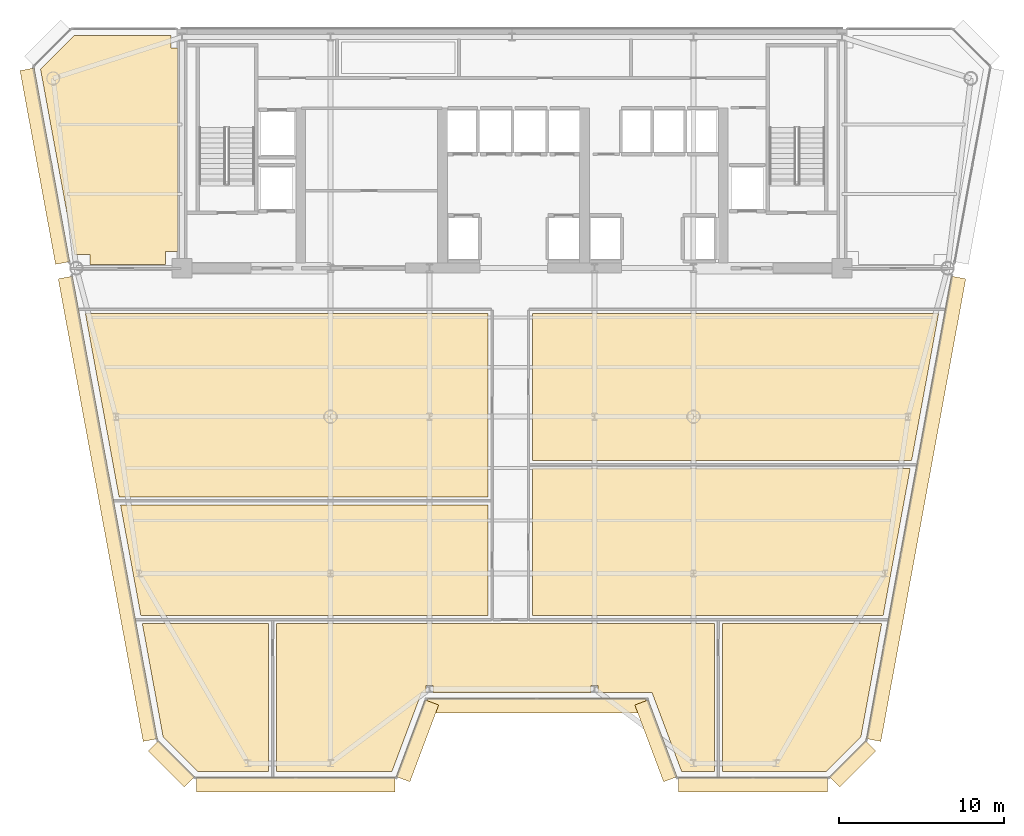
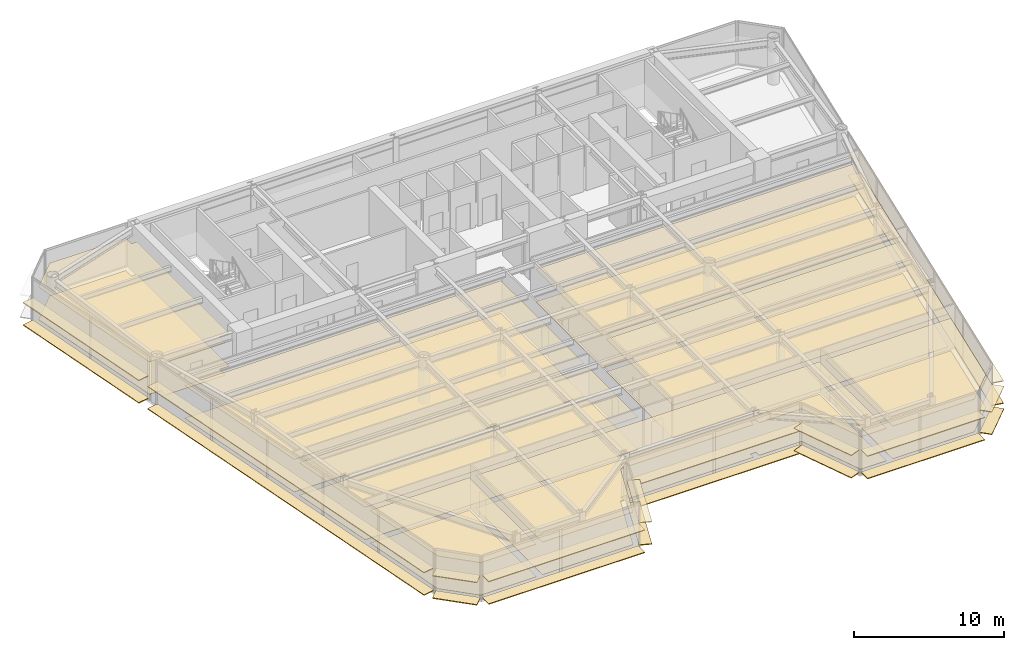
# One storey, part 13 of 16: 36 coverings.
"""IFC4 building model written with IfcOpenShell, lengths in metres."""

from ifc_helpers import new_model, si_unit, direction, frame, origin, origin_2d, place, context, subcontext, project, spatial, polyline, rectangle, outline, extrude, source, transform, mapped, material, layer, layer_set, type_object, element, save


model = new_model("IFC4")

# Units and contexts
model_context = context("Model", 3, precision=1e-05, world=origin(), true_north=direction((0.0, 1.0)))
body_context = subcontext(model_context, "Body", "Model", "MODEL_VIEW")
ifc_project = project(units=[si_unit("LENGTHUNIT", "METRE"), si_unit("AREAUNIT", "SQUARE_METRE"), si_unit("VOLUMEUNIT", "CUBIC_METRE"), si_unit("PLANEANGLEUNIT", "RADIAN"), si_unit("MASSUNIT", "GRAM", prefix="KILO")], contexts=[model_context])

# Site, building, storey
site_placement = place(None, origin())
site = spatial("IfcSite", under=ifc_project, at=site_placement, CompositionType="ELEMENT")
building_placement = place(site_placement, origin())
building = spatial("IfcBuilding", under=site, at=building_placement, Name="Vaeldorn Concourse Tower", CompositionType="ELEMENT")
storey_placement = place(building_placement, frame((0.0, 0.0, 191.800048828125)))
storey = spatial("IfcBuildingStorey", under=building, at=storey_placement, Name="L49", CompositionType="ELEMENT", Elevation=191.800048828125)

# Coverings
ifc_material_1 = material(Name="Acoustic Mineral Fibre Board", Category="gypsum")
ifc_layer_1 = layer(ifc_material_1, 0.0400390625)
ifc_layer_set_1 = layer_set([ifc_layer_1], Name="Acoustic Mineral Fibre Board")
covering_type_1 = type_object("IfcCoveringType", Name="COV-CEIL-ACOUSTIC", PredefinedType="CEILING", material=ifc_layer_set_1)
covering_1_placement = place(storey_placement, frame((0.0, 0.0, 2.64990234375)))
element("IfcCovering", 1, at=covering_1_placement, inside=storey, type_object=covering_type_1, Name="Suspended Acoustic Ceiling L49-3", PredefinedType="CEILING", context=body_context, shape_type="SweptSolid", body=[
    extrude(outline(polyline([(7.4658203125, 50.60009765625), (13.340087890625, 50.60009765625), (13.340087890625, 49.840087890625), (13.760009765625, 49.840087890625), (13.760009765625, 37.5), (13.0, 37.5), (13.0, 36.719970703125), (8.419921875, 36.719970703125), (8.419921875, 37.320068359375), (7.49609375, 37.320068359375), (5.431396484375, 48.565673828125), (7.4658203125, 50.60009765625)])), origin(), (0.0, 0.0, 1.0), 0.0400390625),
])
covering_2_placement = place(storey_placement, frame((0.0, 0.0, 2.64990234375)))
element("IfcCovering", 2, at=covering_2_placement, inside=storey, type_object=covering_type_1, Name="Suspended Acoustic Ceiling L49-5", PredefinedType="CEILING", context=body_context, shape_type="SweptSolid", body=[
    extrude(outline(polyline([(19.260009765625, 14.9599609375), (19.260009765625, 6.0), (14.956787109375, 6.0), (12.86181640625, 8.0947265625), (11.6015625, 14.9599609375), (19.260009765625, 14.9599609375)])), origin(), (0.0, 0.0, 1.0), 0.0400390625),
])
covering_3_placement = place(storey_placement, frame((0.0, 0.0, 2.64990234375)))
element("IfcCovering", 3, at=covering_3_placement, inside=storey, type_object=covering_type_1, Name="Suspended Acoustic Ceiling L49-6", PredefinedType="CEILING", context=body_context, shape_type="SweptSolid", body=[
    extrude(outline(polyline([(26.722900390625, 6.0), (19.739990234375, 6.0), (19.739990234375, 14.9599609375), (46.260009765625, 14.9599609375), (46.260009765625, 6.0), (44.277099609375, 6.0), (42.477294921875, 10.800048828125), (39.2060546875, 10.800048828125), (39.2060546875, 11.217529296875), (38.7939453125, 11.217529296875), (38.7939453125, 10.800048828125), (29.2060546875, 10.800048828125), (29.2060546875, 11.217529296875), (28.7939453125, 11.217529296875), (28.7939453125, 10.800048828125), (28.522705078125, 10.800048828125), (26.722900390625, 6.0)])), origin(), (0.0, 0.0, 1.0), 0.0400390625),
])
covering_4_placement = place(storey_placement, frame((0.0, 0.0, 2.64990234375)))
element("IfcCovering", 4, at=covering_4_placement, inside=storey, type_object=covering_type_1, Name="Suspended Acoustic Ceiling L49-7", PredefinedType="CEILING", context=body_context, shape_type="SweptSolid", body=[
    extrude(outline(polyline([(53.043212890625, 6.0), (46.739990234375, 6.0), (46.739990234375, 14.9599609375), (56.3984375, 14.9599609375), (55.13818359375, 8.0947265625), (53.043212890625, 6.0)])), origin(), (0.0, 0.0, 1.0), 0.0400390625),
])
covering_5_placement = place(storey_placement, frame((0.0, 0.0, 2.64990234375)))
element("IfcCovering", 5, at=covering_5_placement, inside=storey, type_object=covering_type_1, Name="Suspended Acoustic Ceiling L49-8", PredefinedType="CEILING", context=body_context, shape_type="SweptSolid", body=[
    extrude(outline(polyline([(32.56005859375, 22.159912109375), (32.56005859375, 15.43994140625), (11.51318359375, 15.43994140625), (11.23193359375, 16.971923828125), (11.16455078125, 17.340087890625), (11.16455078125, 17.340087890625), (10.279541015625, 22.159912109375), (32.56005859375, 22.159912109375)])), origin(), (0.0, 0.0, 1.0), 0.0400390625),
])
covering_6_placement = place(storey_placement, frame((0.0, 0.0, 2.64990234375)))
element("IfcCovering", 6, at=covering_6_placement, inside=storey, type_object=covering_type_1, Name="Suspended Acoustic Ceiling L49-9", PredefinedType="CEILING", context=body_context, shape_type="SweptSolid", body=[
    extrude(outline(polyline([(32.56005859375, 33.760009765625), (32.56005859375, 22.639892578125), (10.19140625, 22.639892578125), (8.14990234375, 33.760009765625), (32.56005859375, 33.760009765625)])), origin(), (0.0, 0.0, 1.0), 0.0400390625),
])
covering_7_placement = place(storey_placement, frame((0.0, 0.0, 2.64990234375)))
element("IfcCovering", 7, at=covering_7_placement, inside=storey, type_object=covering_type_1, Name="Suspended Acoustic Ceiling L49-10", PredefinedType="CEILING", context=body_context, shape_type="SweptSolid", body=[
    extrude(outline(polyline([(35.239990234375, 15.43994140625), (35.239990234375, 24.360107421875), (58.12451171875, 24.360107421875), (57.015380859375, 18.31982421875), (56.68017578125, 16.493408203125), (56.48681640625, 15.43994140625), (35.239990234375, 15.43994140625)])), origin(), (0.0, 0.0, 1.0), 0.0400390625),
])
covering_8_placement = place(storey_placement, frame((0.0, 0.0, 2.64990234375)))
element("IfcCovering", 8, at=covering_8_placement, inside=storey, type_object=covering_type_1, Name="Suspended Acoustic Ceiling L49-11", PredefinedType="CEILING", context=body_context, shape_type="SweptSolid", body=[
    extrude(outline(polyline([(35.239990234375, 24.840087890625), (35.239990234375, 33.760009765625), (59.85009765625, 33.760009765625), (58.21240234375, 24.840087890625), (35.239990234375, 24.840087890625)])), origin(), (0.0, 0.0, 1.0), 0.0400390625),
])
ifc_material_2 = material(Name="Honed Limestone Terrazzo Flooring", Category="masonry")
ifc_layer_2 = layer(ifc_material_2, 0.0400390625)
ifc_layer_set_2 = layer_set([ifc_layer_2], Name="Honed Limestone Terrazzo Flooring")
covering_type_2 = type_object("IfcCoveringType", Name="COV-FLOOR-STONE", PredefinedType="FLOORING", material=ifc_layer_set_2)
covering_9_placement = place(storey_placement, origin())
element("IfcCovering", 9, at=covering_9_placement, inside=storey, type_object=covering_type_2, Name="Floor Finish Covering L49-3", PredefinedType="FLOORING", context=body_context, shape_type="SweptSolid", body=[
    extrude(outline(polyline([(7.4658203125, 50.60009765625), (13.340087890625, 50.60009765625), (13.340087890625, 49.840087890625), (13.760009765625, 49.840087890625), (13.760009765625, 37.5), (13.0, 37.5), (13.0, 36.719970703125), (8.419921875, 36.719970703125), (8.419921875, 37.320068359375), (7.49609375, 37.320068359375), (5.431396484375, 48.565673828125), (7.4658203125, 50.60009765625)])), origin(), (0.0, 0.0, 1.0), 0.030029296875),
])
covering_10_placement = place(storey_placement, origin())
element("IfcCovering", 10, at=covering_10_placement, inside=storey, type_object=covering_type_2, Name="Floor Finish Covering L49-5", PredefinedType="FLOORING", context=body_context, shape_type="SweptSolid", body=[
    extrude(outline(polyline([(19.260009765625, 14.9599609375), (19.260009765625, 6.0), (14.956787109375, 6.0), (12.86181640625, 8.0947265625), (11.6015625, 14.9599609375), (19.260009765625, 14.9599609375)])), origin(), (0.0, 0.0, 1.0), 0.030029296875),
])
covering_11_placement = place(storey_placement, origin())
element("IfcCovering", 11, at=covering_11_placement, inside=storey, type_object=covering_type_2, Name="Floor Finish Covering L49-6", PredefinedType="FLOORING", context=body_context, shape_type="SweptSolid", body=[
    extrude(outline(polyline([(26.722900390625, 6.0), (19.739990234375, 6.0), (19.739990234375, 14.9599609375), (46.260009765625, 14.9599609375), (46.260009765625, 6.0), (44.277099609375, 6.0), (42.477294921875, 10.800048828125), (39.2060546875, 10.800048828125), (39.2060546875, 11.217529296875), (38.7939453125, 11.217529296875), (38.7939453125, 10.800048828125), (29.2060546875, 10.800048828125), (29.2060546875, 11.217529296875), (28.7939453125, 11.217529296875), (28.7939453125, 10.800048828125), (28.522705078125, 10.800048828125), (26.722900390625, 6.0)])), origin(), (0.0, 0.0, 1.0), 0.030029296875),
])
covering_12_placement = place(storey_placement, origin())
element("IfcCovering", 12, at=covering_12_placement, inside=storey, type_object=covering_type_2, Name="Floor Finish Covering L49-7", PredefinedType="FLOORING", context=body_context, shape_type="SweptSolid", body=[
    extrude(outline(polyline([(53.043212890625, 6.0), (46.739990234375, 6.0), (46.739990234375, 14.9599609375), (56.3984375, 14.9599609375), (55.13818359375, 8.0947265625), (53.043212890625, 6.0)])), origin(), (0.0, 0.0, 1.0), 0.030029296875),
])
covering_13_placement = place(storey_placement, origin())
element("IfcCovering", 13, at=covering_13_placement, inside=storey, type_object=covering_type_2, Name="Floor Finish Covering L49-8", PredefinedType="FLOORING", context=body_context, shape_type="SweptSolid", body=[
    extrude(outline(polyline([(32.56005859375, 22.159912109375), (32.56005859375, 15.43994140625), (11.51318359375, 15.43994140625), (11.23193359375, 16.971923828125), (11.16455078125, 17.340087890625), (11.16455078125, 17.340087890625), (10.279541015625, 22.159912109375), (32.56005859375, 22.159912109375)])), origin(), (0.0, 0.0, 1.0), 0.030029296875),
])
covering_14_placement = place(storey_placement, origin())
element("IfcCovering", 14, at=covering_14_placement, inside=storey, type_object=covering_type_2, Name="Floor Finish Covering L49-9", PredefinedType="FLOORING", context=body_context, shape_type="SweptSolid", body=[
    extrude(outline(polyline([(32.56005859375, 33.760009765625), (32.56005859375, 22.639892578125), (10.19140625, 22.639892578125), (8.14990234375, 33.760009765625), (32.56005859375, 33.760009765625)])), origin(), (0.0, 0.0, 1.0), 0.030029296875),
])
covering_15_placement = place(storey_placement, origin())
element("IfcCovering", 15, at=covering_15_placement, inside=storey, type_object=covering_type_2, Name="Floor Finish Covering L49-10", PredefinedType="FLOORING", context=body_context, shape_type="SweptSolid", body=[
    extrude(outline(polyline([(35.239990234375, 15.43994140625), (35.239990234375, 24.360107421875), (58.12451171875, 24.360107421875), (57.015380859375, 18.31982421875), (56.68017578125, 16.493408203125), (56.48681640625, 15.43994140625), (35.239990234375, 15.43994140625)])), origin(), (0.0, 0.0, 1.0), 0.030029296875),
])
covering_16_placement = place(storey_placement, origin())
element("IfcCovering", 16, at=covering_16_placement, inside=storey, type_object=covering_type_2, Name="Floor Finish Covering L49-11", PredefinedType="FLOORING", context=body_context, shape_type="SweptSolid", body=[
    extrude(outline(polyline([(35.239990234375, 24.840087890625), (35.239990234375, 33.760009765625), (59.85009765625, 33.760009765625), (58.21240234375, 24.840087890625), (35.239990234375, 24.840087890625)])), origin(), (0.0, 0.0, 1.0), 0.030029296875),
])
ifc_material_3 = material(Name="Anodised Bronze Aluminium", Category="aluminium")
ifc_layer_3 = layer(ifc_material_3, 0.06494140625)
ifc_layer_set_3 = layer_set([ifc_layer_3], Name="Anodised Bronze Aluminium")
covering_type_3 = type_object("IfcCoveringType", Name="SD-BRONZE-SUNSHADE", PredefinedType="USERDEFINED", material=ifc_layer_set_3)
shared_shape_1 = source(origin(), body_context, "Body", "SweptSolid", [
    extrude(rectangle(XDim=4.96630859375, YDim=0.8798828125, at=origin_2d()), origin(), (0.0, 0.0, 1.0), 0.06494140625),
])
for number, where, z_axis, x_axis, name in (
    (17, (28.2744140625, 7.859619140625, 0.04736328125), (0.0, 0.0, 1.0), (0.351122702609, 0.936329454686, 0.0), "Horizontal Bronze Sunshade L49-E02.1.1"),
    (18, (28.2744140625, 7.859619140625, 1.867431640625), (0.0, 0.0, 1.0), (0.351122702609, 0.936329454686, 0.0), "Horizontal Bronze Sunshade L49-E02.1.2"),
    (19, (42.7255859375, 7.859619140625, 0.04736328125), (0.0, 0.0, 1.0), (0.351122702609, -0.936329454686, 0.0), "Horizontal Bronze Sunshade L49-E04.1.1"),
    (20, (42.7255859375, 7.859619140625, 1.867431640625), (0.0, 0.0, 1.0), (0.351122702609, -0.936329454686, 0.0), "Horizontal Bronze Sunshade L49-E04.1.2"),
):
    element("IfcCovering", number, at=place(storey_placement, frame(where, z_axis=z_axis, x_axis=x_axis)), inside=storey, type_object=covering_type_3, Name=name, ObjectType="SUNSHADE", PredefinedType="USERDEFINED", context=body_context, shape_type="MappedRepresentation", body=[
        mapped(shared_shape_1, transform((0.0, 0.0, 0.0), scale=1.0)),
    ])
shared_shape_2 = source(origin(), body_context, "Body", "SweptSolid", [
    extrude(rectangle(XDim=13.239990234375, YDim=0.8798828125, at=origin_2d()), origin(), (0.0, 0.0, 1.0), 0.06494140625),
])
for number, where, z_axis, x_axis, name in (
    (21, (35.5, 10.0, 0.04736328125), (0.0, 0.0, 1.0), (1.0, 0.0, 0.0), "Horizontal Bronze Sunshade L49-E03.1.1"),
    (22, (35.5, 10.0, 1.867431640625), (0.0, 0.0, 1.0), (1.0, 0.0, 0.0), "Horizontal Bronze Sunshade L49-E03.1.2"),
):
    element("IfcCovering", number, at=place(storey_placement, frame(where, z_axis=z_axis, x_axis=x_axis)), inside=storey, type_object=covering_type_3, Name=name, ObjectType="SUNSHADE", PredefinedType="USERDEFINED", context=body_context, shape_type="MappedRepresentation", body=[
        mapped(shared_shape_2, transform((0.0, 0.0, 0.0), scale=1.0)),
    ])
shared_shape_3 = source(origin(), body_context, "Body", "SweptSolid", [
    extrude(rectangle(XDim=3.0927734375, YDim=0.8798828125, at=origin_2d()), origin(), (0.0, 0.0, 1.0), 0.06494140625),
])
for number, where, z_axis, x_axis, name in (
    (23, (54.641845703125, 6.46728515625, 0.04736328125), (0.0, 0.0, 1.0), (0.707106781187, 0.707106781187, 0.0), "Horizontal Bronze Sunshade L49-E06.1.1"),
    (24, (54.641845703125, 6.46728515625, 1.867431640625), (0.0, 0.0, 1.0), (0.707106781187, 0.707106781187, 0.0), "Horizontal Bronze Sunshade L49-E06.1.2"),
    (25, (13.358154296875, 6.46728515625, 0.04736328125), (0.0, 0.0, 1.0), (0.707106781187, -0.707106781187, 0.0), "Horizontal Bronze Sunshade L49-E12.1.1"),
    (26, (13.358154296875, 6.46728515625, 1.867431640625), (0.0, 0.0, 1.0), (0.707106781187, -0.707106781187, 0.0), "Horizontal Bronze Sunshade L49-E12.1.2"),
):
    element("IfcCovering", number, at=place(storey_placement, frame(where, z_axis=z_axis, x_axis=x_axis)), inside=storey, type_object=covering_type_3, Name=name, ObjectType="SUNSHADE", PredefinedType="USERDEFINED", context=body_context, shape_type="MappedRepresentation", body=[
        mapped(shared_shape_3, transform((0.0, 0.0, 0.0), scale=1.0)),
    ])
shared_shape_4 = source(origin(), body_context, "Body", "SweptSolid", [
    extrude(rectangle(XDim=28.49462890625, YDim=0.8798828125, at=origin_2d()), origin(), (0.0, 0.0, 1.0), 0.06494140625),
])
for number, where, z_axis, x_axis, name in (
    (27, (58.48974609375, 21.91943359375, 0.04736328125), (0.0, 0.0, 1.0), (0.180587811053, 0.983558865803, 0.0), "Horizontal Bronze Sunshade L49-E07.1.1"),
    (28, (58.48974609375, 21.91943359375, 1.867431640625), (0.0, 0.0, 1.0), (0.180587811053, 0.983558865803, 0.0), "Horizontal Bronze Sunshade L49-E07.1.2"),
    (29, (9.51025390625, 21.91943359375, 0.04736328125), (0.0, 0.0, 1.0), (0.180587811053, -0.983558865803, 0.0), "Horizontal Bronze Sunshade L49-E11.2.1"),
    (30, (9.51025390625, 21.91943359375, 1.867431640625), (0.0, 0.0, 1.0), (0.180587811053, -0.983558865803, 0.0), "Horizontal Bronze Sunshade L49-E11.2.2"),
):
    element("IfcCovering", number, at=place(storey_placement, frame(where, z_axis=z_axis, x_axis=x_axis)), inside=storey, type_object=covering_type_3, Name=name, ObjectType="SUNSHADE", PredefinedType="USERDEFINED", context=body_context, shape_type="MappedRepresentation", body=[
        mapped(shared_shape_4, transform((0.0, 0.0, 0.0), scale=1.0)),
    ])
shared_shape_5 = source(origin(), body_context, "Body", "SweptSolid", [
    extrude(rectangle(XDim=11.931396484375, YDim=0.8798828125, at=origin_2d()), origin(), (0.0, 0.0, 1.0), 0.06494140625),
])
for number, where, z_axis, x_axis, name in (
    (31, (5.6982421875, 42.681396484375, 0.04736328125), (0.0, 0.0, 1.0), (0.180587811053, -0.983558865803, 0.0), "Horizontal Bronze Sunshade L49-E11.1.1"),
    (32, (5.6982421875, 42.681396484375, 1.867431640625), (0.0, 0.0, 1.0), (0.180587811053, -0.983558865803, 0.0), "Horizontal Bronze Sunshade L49-E11.1.2"),
):
    element("IfcCovering", number, at=place(storey_placement, frame(where, z_axis=z_axis, x_axis=x_axis)), inside=storey, type_object=covering_type_3, Name=name, ObjectType="SUNSHADE", PredefinedType="USERDEFINED", context=body_context, shape_type="MappedRepresentation", body=[
        mapped(shared_shape_5, transform((0.0, 0.0, 0.0), scale=1.0)),
    ])
shared_shape_6 = source(origin(), body_context, "Body", "SweptSolid", [
    extrude(rectangle(XDim=12.049072265625, YDim=0.8798828125, at=origin_2d()), origin(), (0.0, 0.0, 1.0), 0.06494140625),
])
for number, where, z_axis, x_axis, name in (
    (33, (20.8955078125, 5.199951171875, 0.04736328125), (0.0, 0.0, 1.0), (1.0, 0.0, 0.0), "Horizontal Bronze Sunshade L49-E01.1.1"),
    (34, (20.8955078125, 5.199951171875, 1.867431640625), (0.0, 0.0, 1.0), (1.0, 0.0, 0.0), "Horizontal Bronze Sunshade L49-E01.1.2"),
):
    element("IfcCovering", number, at=place(storey_placement, frame(where, z_axis=z_axis, x_axis=x_axis)), inside=storey, type_object=covering_type_3, Name=name, ObjectType="SUNSHADE", PredefinedType="USERDEFINED", context=body_context, shape_type="MappedRepresentation", body=[
        mapped(shared_shape_6, transform((0.0, 0.0, 0.0), scale=1.0)),
    ])
shared_shape_7 = source(origin(), body_context, "Body", "SweptSolid", [
    extrude(rectangle(XDim=9.049072265625, YDim=0.8798828125, at=origin_2d()), origin(), (0.0, 0.0, 1.0), 0.06494140625),
])
for number, where, z_axis, x_axis, name in (
    (35, (48.6044921875, 5.199951171875, 0.04736328125), (0.0, 0.0, 1.0), (1.0, 0.0, 0.0), "Horizontal Bronze Sunshade L49-E05.1.1"),
    (36, (48.6044921875, 5.199951171875, 1.867431640625), (0.0, 0.0, 1.0), (1.0, 0.0, 0.0), "Horizontal Bronze Sunshade L49-E05.1.2"),
):
    element("IfcCovering", number, at=place(storey_placement, frame(where, z_axis=z_axis, x_axis=x_axis)), inside=storey, type_object=covering_type_3, Name=name, ObjectType="SUNSHADE", PredefinedType="USERDEFINED", context=body_context, shape_type="MappedRepresentation", body=[
        mapped(shared_shape_7, transform((0.0, 0.0, 0.0), scale=1.0)),
    ])

save(model, "model.ifc")
